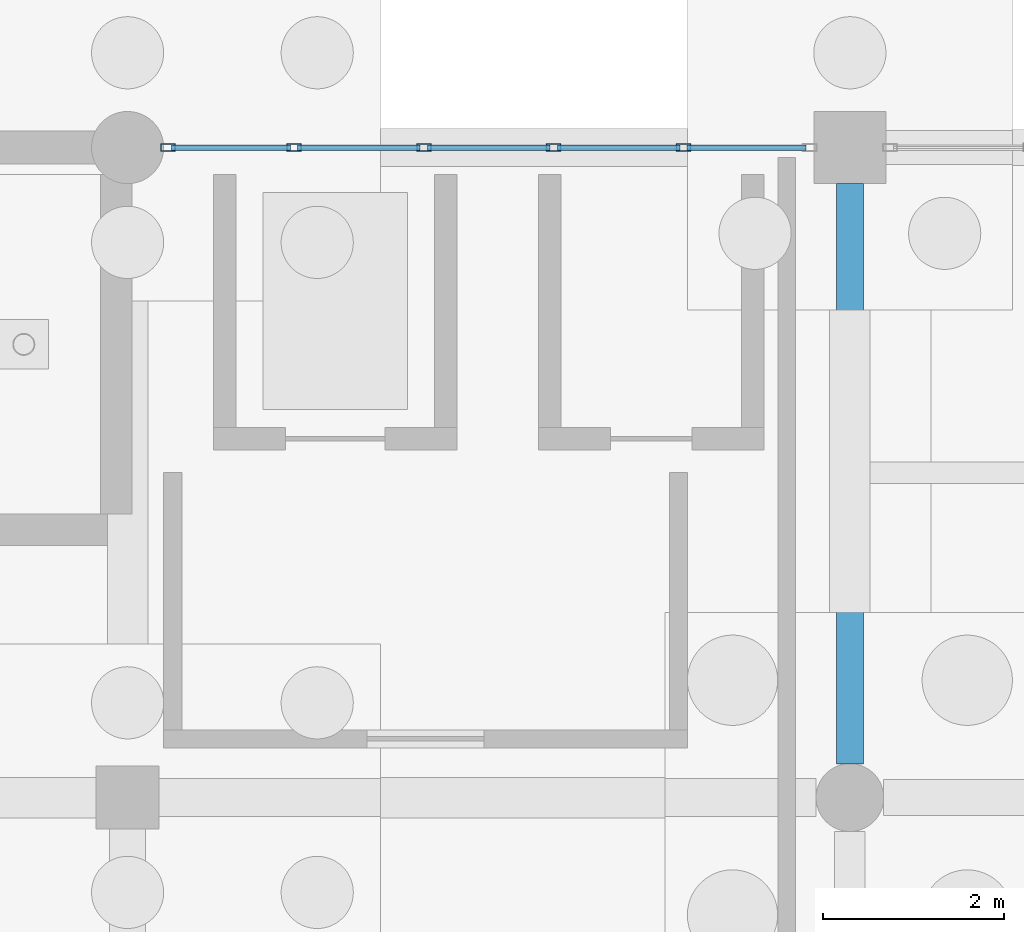
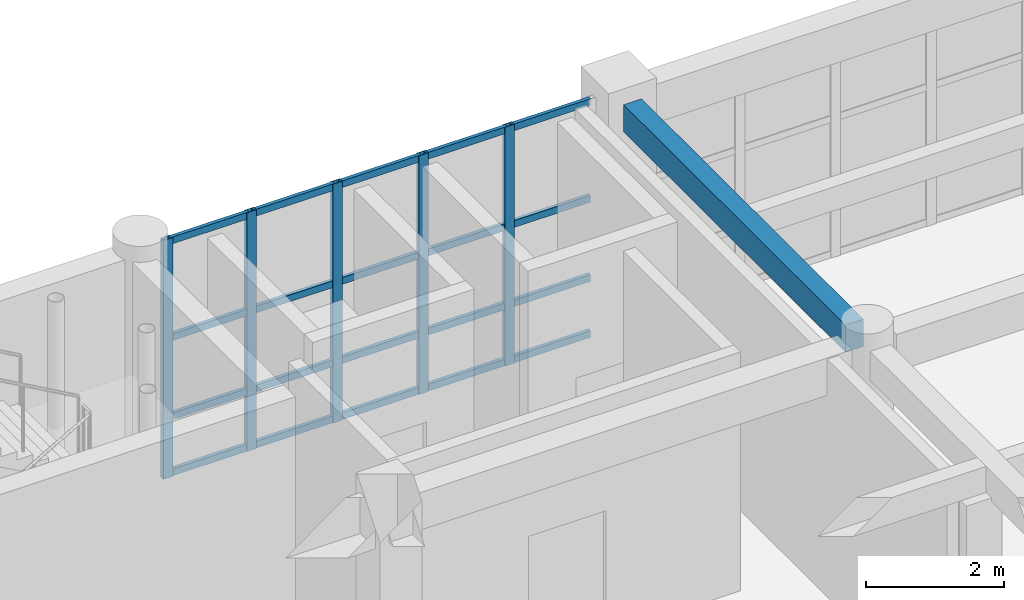
# One storey, part 75 of 166: 25 members, 1 beam, 1 element without a shape of its own.
"""IFC4 building model written with IfcOpenShell, lengths in metres."""

from ifc_helpers import new_model, si_unit, direction, frame, origin, origin_2d, place, context, subcontext, project, spatial, rectangle, hollow_rectangle, extrude, material, material_profile, profile_set, type_object, element, aggregate, save


model = new_model("IFC4")

# Units and contexts
model_context = context("Model", 3, precision=1e-05, world=origin(), true_north=direction((0.0, 1.0)))
body_context = subcontext(model_context, "Body", "Model", "MODEL_VIEW")
ifc_project = project(units=[si_unit("LENGTHUNIT", "METRE"), si_unit("AREAUNIT", "SQUARE_METRE"), si_unit("VOLUMEUNIT", "CUBIC_METRE"), si_unit("PLANEANGLEUNIT", "RADIAN"), si_unit("MASSUNIT", "GRAM", prefix="KILO")], contexts=[model_context])

# Site, building, storey
site_placement = place(None, origin())
site = spatial("IfcSite", under=ifc_project, at=site_placement, CompositionType="ELEMENT")
building_placement = place(site_placement, origin())
building = spatial("IfcBuilding", under=site, at=building_placement, Name="Kharva Crest Polytechnic", CompositionType="ELEMENT")
storey_placement = place(building_placement, origin())
storey = spatial("IfcBuildingStorey", under=building, at=storey_placement, Name="L00", CompositionType="ELEMENT", Elevation=0.0)

# Beam
ifc_material_1 = material(Name="Concrete C35/45", Category="concrete")
ifc_material_profile_1 = material_profile(ifc_material_1, rectangle(XDim=0.300048828125, YDim=0.47998046875, at=origin_2d()), Name="RECT 300 X 480")
ifc_profile_set_1 = profile_set([ifc_material_profile_1], Name="Concrete C35/45")
beam_type = type_object("IfcBeamType", Name="BM-RC-300X480", PredefinedType="BEAM", material=ifc_profile_set_1)
beam_placement = place(storey_placement, frame((120.0, 115.175048828125, 3.97998046875), z_axis=(0.0, 1.0, 0.0), x_axis=(-1.0, 0.0, 0.0)))
element("IfcBeam", 1, at=beam_placement, inside=storey, type_object=beam_type, Name="L00 Girder 16/R-S", PredefinedType="BEAM", context=body_context, shape_type="SweptSolid", body=[
    extrude(rectangle(XDim=0.300048828125, YDim=0.47998046875, at=origin_2d()), origin(), (0.0, 0.0, 1.0), 6.425048828125),
])

# Curtain wall, members
ifc_material_2 = material(Name="Tempered insulated glass", Category="glass")
curtain_wall_type = type_object("IfcCurtainWallType", Name="CW-SYS-COURT", PredefinedType="USERDEFINED", material=ifc_material_2)
curtain_wall_placement = place(storey_placement, origin())
curtain_wall = element("IfcCurtainWall", 2, at=curtain_wall_placement, inside=storey, type_object=curtain_wall_type, Name="L00 Glazed Curtain Wall CW-025", ObjectType="CURTAIN WALL", PredefinedType="USERDEFINED")
ifc_material_3 = material(Name="Steel S355", Category="steel")
ifc_material_profile_2 = material_profile(ifc_material_3, hollow_rectangle(XDim=0.080078125, YDim=0.159912109375, WallThickness=0.0048828125, at=origin_2d()), Name="RHS 160X80X5.0")
ifc_profile_set_2 = profile_set([ifc_material_profile_2], Name="Steel S355")
member_type_1 = type_object("IfcMemberType", Name="CWM-RHS160X80", PredefinedType="MULLION", material=ifc_profile_set_2)
member_1_placement = place(storey_placement, frame((118.156982421875, 122.0, 0.0), z_axis=(0.0, 0.0, 1.0), x_axis=(0.0, -1.0, 0.0)))
member_1 = element("IfcMember", 3, at=member_1_placement, type_object=member_type_1, Name="CW-025 mullion 2", PredefinedType="MULLION", context=body_context, shape_type="SweptSolid", body=[
    extrude(hollow_rectangle(XDim=0.080078125, YDim=0.159912109375, WallThickness=0.0048828125, at=origin_2d()), origin(), (0.0, 0.0, 1.0), 4.219970703125),
])
member_2_placement = place(storey_placement, frame((116.718994140625, 122.0, 0.0), z_axis=(0.0, 0.0, 1.0), x_axis=(0.0, -1.0, 0.0)))
member_2 = element("IfcMember", 4, at=member_2_placement, type_object=member_type_1, Name="CW-025 mullion 3", PredefinedType="MULLION", context=body_context, shape_type="SweptSolid", body=[
    extrude(hollow_rectangle(XDim=0.080078125, YDim=0.159912109375, WallThickness=0.0048828125, at=origin_2d()), origin(), (0.0, 0.0, 1.0), 4.219970703125),
])
member_3_placement = place(storey_placement, frame((115.281005859375, 122.0, 0.0), z_axis=(0.0, 0.0, 1.0), x_axis=(0.0, -1.0, 0.0)))
member_3 = element("IfcMember", 5, at=member_3_placement, type_object=member_type_1, Name="CW-025 mullion 4", PredefinedType="MULLION", context=body_context, shape_type="SweptSolid", body=[
    extrude(hollow_rectangle(XDim=0.080078125, YDim=0.159912109375, WallThickness=0.0048828125, at=origin_2d()), origin(), (0.0, 0.0, 1.0), 4.219970703125),
])
member_4_placement = place(storey_placement, frame((113.843017578125, 122.0, 0.0), z_axis=(0.0, 0.0, 1.0), x_axis=(0.0, -1.0, 0.0)))
member_4 = element("IfcMember", 6, at=member_4_placement, type_object=member_type_1, Name="CW-025 mullion 5", PredefinedType="MULLION", context=body_context, shape_type="SweptSolid", body=[
    extrude(hollow_rectangle(XDim=0.080078125, YDim=0.159912109375, WallThickness=0.0048828125, at=origin_2d()), origin(), (0.0, 0.0, 1.0), 4.219970703125),
])
member_5_placement = place(storey_placement, frame((112.445068359375, 122.0, 0.0), z_axis=(0.0, 0.0, 1.0), x_axis=(0.0, -1.0, 0.0)))
member_5 = element("IfcMember", 7, at=member_5_placement, type_object=member_type_1, Name="CW-025 mullion 6", PredefinedType="MULLION", context=body_context, shape_type="SweptSolid", body=[
    extrude(hollow_rectangle(XDim=0.080078125, YDim=0.159912109375, WallThickness=0.0048828125, at=origin_2d()), origin(), (0.0, 0.0, 1.0), 4.219970703125),
])
ifc_material_profile_3 = material_profile(ifc_material_3, hollow_rectangle(XDim=0.06005859375, YDim=0.1201171875, WallThickness=0.00390625, at=origin_2d()), Name="RHS 120X60X4.0")
ifc_profile_set_3 = profile_set([ifc_material_profile_3], Name="Steel S355")
member_type_2 = type_object("IfcMemberType", Name="CWT-RHS120X60", PredefinedType="USERDEFINED", material=ifc_profile_set_3)
member_6_placement = place(storey_placement, frame((119.514892578125, 122.0, 0.06005859375), z_axis=(-1.0, 0.0, 0.0), x_axis=(0.0, -1.0, 0.0)))
member_6 = element("IfcMember", 8, at=member_6_placement, type_object=member_type_2, Name="CW-025 transom 1.1", ObjectType="TRANSOM", PredefinedType="USERDEFINED", context=body_context, shape_type="SweptSolid", body=[
    extrude(hollow_rectangle(XDim=0.06005859375, YDim=0.1201171875, WallThickness=0.00390625, at=origin_2d()), origin(), (0.0, 0.0, 1.0), 1.31787109375),
])
member_7_placement = place(storey_placement, frame((119.514892578125, 122.0, 1.050048828125), z_axis=(-1.0, 0.0, 0.0), x_axis=(0.0, -1.0, 0.0)))
member_7 = element("IfcMember", 9, at=member_7_placement, type_object=member_type_2, Name="CW-025 transom 1.2", ObjectType="TRANSOM", PredefinedType="USERDEFINED", context=body_context, shape_type="SweptSolid", body=[
    extrude(hollow_rectangle(XDim=0.06005859375, YDim=0.1201171875, WallThickness=0.00390625, at=origin_2d()), origin(), (0.0, 0.0, 1.0), 1.31787109375),
])
member_8_placement = place(storey_placement, frame((119.514892578125, 122.0, 2.449951171875), z_axis=(-1.0, 0.0, 0.0), x_axis=(0.0, -1.0, 0.0)))
member_8 = element("IfcMember", 10, at=member_8_placement, type_object=member_type_2, Name="CW-025 transom 1.3", ObjectType="TRANSOM", PredefinedType="USERDEFINED", context=body_context, shape_type="SweptSolid", body=[
    extrude(hollow_rectangle(XDim=0.06005859375, YDim=0.1201171875, WallThickness=0.00390625, at=origin_2d()), origin(), (0.0, 0.0, 1.0), 1.31787109375),
])
member_9_placement = place(storey_placement, frame((119.514892578125, 122.0, 4.159912109375), z_axis=(-1.0, 0.0, 0.0), x_axis=(0.0, -1.0, 0.0)))
member_9 = element("IfcMember", 11, at=member_9_placement, type_object=member_type_2, Name="CW-025 transom 1.4", ObjectType="TRANSOM", PredefinedType="USERDEFINED", context=body_context, shape_type="SweptSolid", body=[
    extrude(hollow_rectangle(XDim=0.06005859375, YDim=0.1201171875, WallThickness=0.00390625, at=origin_2d()), origin(), (0.0, 0.0, 1.0), 1.31787109375),
])
member_10_placement = place(storey_placement, frame((118.116943359375, 122.0, 0.06005859375), z_axis=(-1.0, 0.0, 0.0), x_axis=(0.0, -1.0, 0.0)))
member_10 = element("IfcMember", 12, at=member_10_placement, type_object=member_type_2, Name="CW-025 transom 2.1", ObjectType="TRANSOM", PredefinedType="USERDEFINED", context=body_context, shape_type="SweptSolid", body=[
    extrude(hollow_rectangle(XDim=0.06005859375, YDim=0.1201171875, WallThickness=0.00390625, at=origin_2d()), origin(), (0.0, 0.0, 1.0), 1.35791015625),
])
member_11_placement = place(storey_placement, frame((118.116943359375, 122.0, 1.050048828125), z_axis=(-1.0, 0.0, 0.0), x_axis=(0.0, -1.0, 0.0)))
member_11 = element("IfcMember", 13, at=member_11_placement, type_object=member_type_2, Name="CW-025 transom 2.2", ObjectType="TRANSOM", PredefinedType="USERDEFINED", context=body_context, shape_type="SweptSolid", body=[
    extrude(hollow_rectangle(XDim=0.06005859375, YDim=0.1201171875, WallThickness=0.00390625, at=origin_2d()), origin(), (0.0, 0.0, 1.0), 1.35791015625),
])
member_12_placement = place(storey_placement, frame((118.116943359375, 122.0, 2.449951171875), z_axis=(-1.0, 0.0, 0.0), x_axis=(0.0, -1.0, 0.0)))
member_12 = element("IfcMember", 14, at=member_12_placement, type_object=member_type_2, Name="CW-025 transom 2.3", ObjectType="TRANSOM", PredefinedType="USERDEFINED", context=body_context, shape_type="SweptSolid", body=[
    extrude(hollow_rectangle(XDim=0.06005859375, YDim=0.1201171875, WallThickness=0.00390625, at=origin_2d()), origin(), (0.0, 0.0, 1.0), 1.35791015625),
])
member_13_placement = place(storey_placement, frame((118.116943359375, 122.0, 4.159912109375), z_axis=(-1.0, 0.0, 0.0), x_axis=(0.0, -1.0, 0.0)))
member_13 = element("IfcMember", 15, at=member_13_placement, type_object=member_type_2, Name="CW-025 transom 2.4", ObjectType="TRANSOM", PredefinedType="USERDEFINED", context=body_context, shape_type="SweptSolid", body=[
    extrude(hollow_rectangle(XDim=0.06005859375, YDim=0.1201171875, WallThickness=0.00390625, at=origin_2d()), origin(), (0.0, 0.0, 1.0), 1.35791015625),
])
member_14_placement = place(storey_placement, frame((116.678955078125, 122.0, 0.06005859375), z_axis=(-1.0, 0.0, 0.0), x_axis=(0.0, -1.0, 0.0)))
member_14 = element("IfcMember", 16, at=member_14_placement, type_object=member_type_2, Name="CW-025 transom 3.1", ObjectType="TRANSOM", PredefinedType="USERDEFINED", context=body_context, shape_type="SweptSolid", body=[
    extrude(hollow_rectangle(XDim=0.06005859375, YDim=0.1201171875, WallThickness=0.00390625, at=origin_2d()), origin(), (0.0, 0.0, 1.0), 1.35791015625),
])
member_15_placement = place(storey_placement, frame((116.678955078125, 122.0, 1.050048828125), z_axis=(-1.0, 0.0, 0.0), x_axis=(0.0, -1.0, 0.0)))
member_15 = element("IfcMember", 17, at=member_15_placement, type_object=member_type_2, Name="CW-025 transom 3.2", ObjectType="TRANSOM", PredefinedType="USERDEFINED", context=body_context, shape_type="SweptSolid", body=[
    extrude(hollow_rectangle(XDim=0.06005859375, YDim=0.1201171875, WallThickness=0.00390625, at=origin_2d()), origin(), (0.0, 0.0, 1.0), 1.35791015625),
])
member_16_placement = place(storey_placement, frame((116.678955078125, 122.0, 2.449951171875), z_axis=(-1.0, 0.0, 0.0), x_axis=(0.0, -1.0, 0.0)))
member_16 = element("IfcMember", 18, at=member_16_placement, type_object=member_type_2, Name="CW-025 transom 3.3", ObjectType="TRANSOM", PredefinedType="USERDEFINED", context=body_context, shape_type="SweptSolid", body=[
    extrude(hollow_rectangle(XDim=0.06005859375, YDim=0.1201171875, WallThickness=0.00390625, at=origin_2d()), origin(), (0.0, 0.0, 1.0), 1.35791015625),
])
member_17_placement = place(storey_placement, frame((116.678955078125, 122.0, 4.159912109375), z_axis=(-1.0, 0.0, 0.0), x_axis=(0.0, -1.0, 0.0)))
member_17 = element("IfcMember", 19, at=member_17_placement, type_object=member_type_2, Name="CW-025 transom 3.4", ObjectType="TRANSOM", PredefinedType="USERDEFINED", context=body_context, shape_type="SweptSolid", body=[
    extrude(hollow_rectangle(XDim=0.06005859375, YDim=0.1201171875, WallThickness=0.00390625, at=origin_2d()), origin(), (0.0, 0.0, 1.0), 1.35791015625),
])
member_18_placement = place(storey_placement, frame((115.240966796875, 122.0, 0.06005859375), z_axis=(-1.0, 0.0, 0.0), x_axis=(0.0, -1.0, 0.0)))
member_18 = element("IfcMember", 20, at=member_18_placement, type_object=member_type_2, Name="CW-025 transom 4.1", ObjectType="TRANSOM", PredefinedType="USERDEFINED", context=body_context, shape_type="SweptSolid", body=[
    extrude(hollow_rectangle(XDim=0.06005859375, YDim=0.1201171875, WallThickness=0.00390625, at=origin_2d()), origin(), (0.0, 0.0, 1.0), 1.35791015625),
])
member_19_placement = place(storey_placement, frame((115.240966796875, 122.0, 1.050048828125), z_axis=(-1.0, 0.0, 0.0), x_axis=(0.0, -1.0, 0.0)))
member_19 = element("IfcMember", 21, at=member_19_placement, type_object=member_type_2, Name="CW-025 transom 4.2", ObjectType="TRANSOM", PredefinedType="USERDEFINED", context=body_context, shape_type="SweptSolid", body=[
    extrude(hollow_rectangle(XDim=0.06005859375, YDim=0.1201171875, WallThickness=0.00390625, at=origin_2d()), origin(), (0.0, 0.0, 1.0), 1.35791015625),
])
member_20_placement = place(storey_placement, frame((115.240966796875, 122.0, 2.449951171875), z_axis=(-1.0, 0.0, 0.0), x_axis=(0.0, -1.0, 0.0)))
member_20 = element("IfcMember", 22, at=member_20_placement, type_object=member_type_2, Name="CW-025 transom 4.3", ObjectType="TRANSOM", PredefinedType="USERDEFINED", context=body_context, shape_type="SweptSolid", body=[
    extrude(hollow_rectangle(XDim=0.06005859375, YDim=0.1201171875, WallThickness=0.00390625, at=origin_2d()), origin(), (0.0, 0.0, 1.0), 1.35791015625),
])
member_21_placement = place(storey_placement, frame((115.240966796875, 122.0, 4.159912109375), z_axis=(-1.0, 0.0, 0.0), x_axis=(0.0, -1.0, 0.0)))
member_21 = element("IfcMember", 23, at=member_21_placement, type_object=member_type_2, Name="CW-025 transom 4.4", ObjectType="TRANSOM", PredefinedType="USERDEFINED", context=body_context, shape_type="SweptSolid", body=[
    extrude(hollow_rectangle(XDim=0.06005859375, YDim=0.1201171875, WallThickness=0.00390625, at=origin_2d()), origin(), (0.0, 0.0, 1.0), 1.35791015625),
])
member_22_placement = place(storey_placement, frame((113.802978515625, 122.0, 0.06005859375), z_axis=(-1.0, 0.0, 0.0), x_axis=(0.0, -1.0, 0.0)))
member_22 = element("IfcMember", 24, at=member_22_placement, type_object=member_type_2, Name="CW-025 transom 5.1", ObjectType="TRANSOM", PredefinedType="USERDEFINED", context=body_context, shape_type="SweptSolid", body=[
    extrude(hollow_rectangle(XDim=0.06005859375, YDim=0.1201171875, WallThickness=0.00390625, at=origin_2d()), origin(), (0.0, 0.0, 1.0), 1.31787109375),
])
member_23_placement = place(storey_placement, frame((113.802978515625, 122.0, 1.050048828125), z_axis=(-1.0, 0.0, 0.0), x_axis=(0.0, -1.0, 0.0)))
member_23 = element("IfcMember", 25, at=member_23_placement, type_object=member_type_2, Name="CW-025 transom 5.2", ObjectType="TRANSOM", PredefinedType="USERDEFINED", context=body_context, shape_type="SweptSolid", body=[
    extrude(hollow_rectangle(XDim=0.06005859375, YDim=0.1201171875, WallThickness=0.00390625, at=origin_2d()), origin(), (0.0, 0.0, 1.0), 1.31787109375),
])
member_24_placement = place(storey_placement, frame((113.802978515625, 122.0, 2.449951171875), z_axis=(-1.0, 0.0, 0.0), x_axis=(0.0, -1.0, 0.0)))
member_24 = element("IfcMember", 26, at=member_24_placement, type_object=member_type_2, Name="CW-025 transom 5.3", ObjectType="TRANSOM", PredefinedType="USERDEFINED", context=body_context, shape_type="SweptSolid", body=[
    extrude(hollow_rectangle(XDim=0.06005859375, YDim=0.1201171875, WallThickness=0.00390625, at=origin_2d()), origin(), (0.0, 0.0, 1.0), 1.31787109375),
])
member_25_placement = place(storey_placement, frame((113.802978515625, 122.0, 4.159912109375), z_axis=(-1.0, 0.0, 0.0), x_axis=(0.0, -1.0, 0.0)))
member_25 = element("IfcMember", 27, at=member_25_placement, type_object=member_type_2, Name="CW-025 transom 5.4", ObjectType="TRANSOM", PredefinedType="USERDEFINED", context=body_context, shape_type="SweptSolid", body=[
    extrude(hollow_rectangle(XDim=0.06005859375, YDim=0.1201171875, WallThickness=0.00390625, at=origin_2d()), origin(), (0.0, 0.0, 1.0), 1.31787109375),
])
aggregate(curtain_wall, [member_1, member_2, member_3, member_4, member_5, member_6, member_7, member_8, member_9, member_10, member_11, member_12, member_13, member_14, member_15, member_16, member_17, member_18, member_19, member_20, member_21, member_22, member_23, member_24, member_25])

save(model, "model.ifc")
